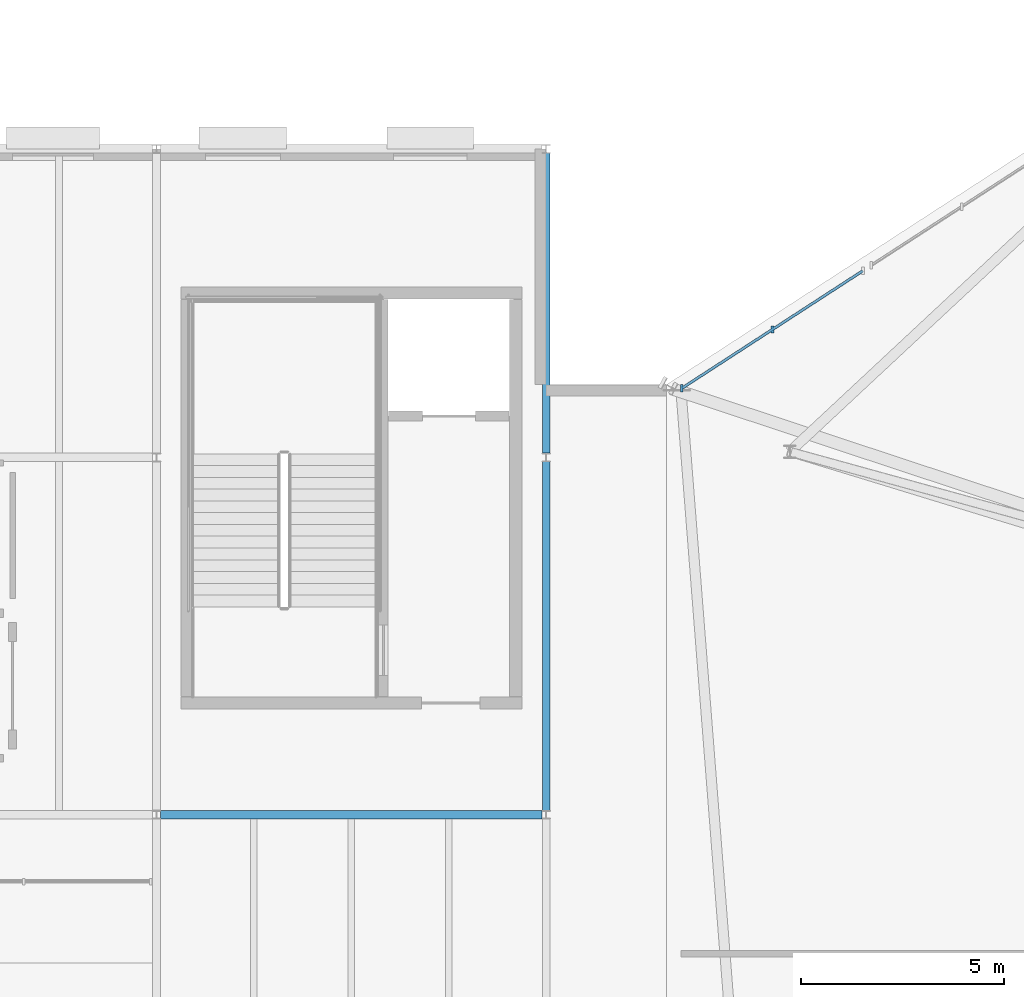
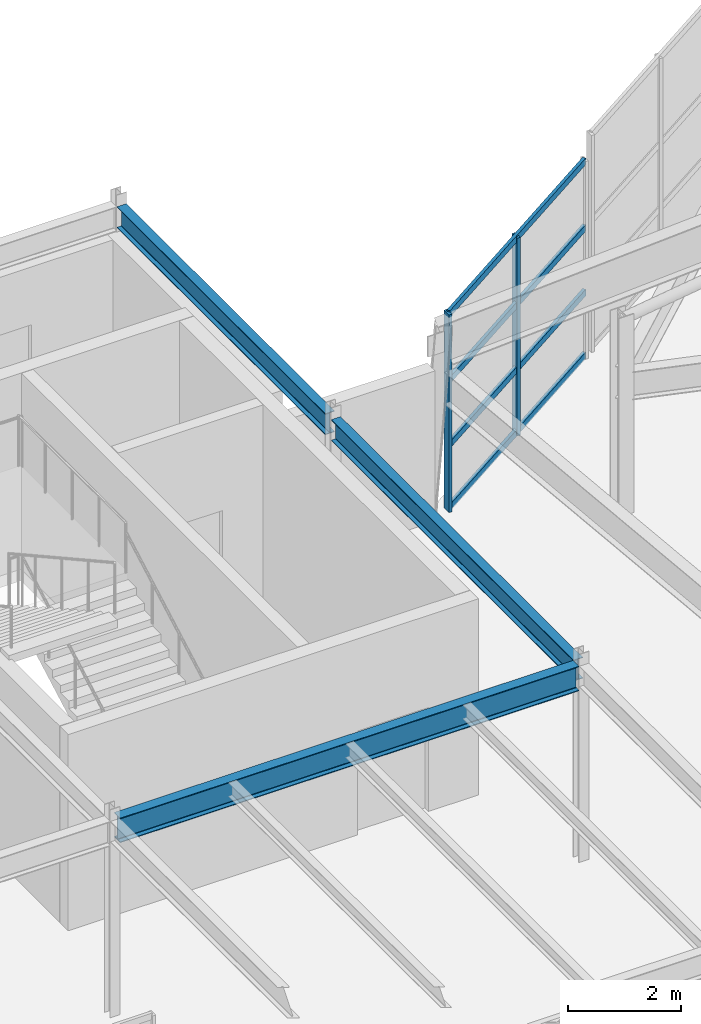
# One storey, part 17 of 50: 6 members, 3 beams, 1 element without a shape of its own.
"""IFC4 building model written with IfcOpenShell, lengths in metres."""

from ifc_helpers import new_model, si_unit, direction, frame, origin, origin_2d, place, context, subcontext, project, spatial, rectangle, i_section, extrude, material, material_profile, profile_set, type_object, element, aggregate, save


model = new_model("IFC4")

# Units and contexts
model_context = context("Model", 3, precision=1e-05, world=origin(), true_north=direction((0.0, 1.0)))
body_context = subcontext(model_context, "Body", "Model", "MODEL_VIEW")
ifc_project = project(units=[si_unit("LENGTHUNIT", "METRE"), si_unit("AREAUNIT", "SQUARE_METRE"), si_unit("VOLUMEUNIT", "CUBIC_METRE"), si_unit("PLANEANGLEUNIT", "RADIAN"), si_unit("MASSUNIT", "GRAM", prefix="KILO")], contexts=[model_context])

# Site, building, storey
site_placement = place(None, origin())
site = spatial("IfcSite", under=ifc_project, at=site_placement, CompositionType="ELEMENT")
building_placement = place(site_placement, origin())
building = spatial("IfcBuilding", under=site, at=building_placement, Name="Sarnbrook Museum", CompositionType="ELEMENT")
storey_placement = place(building_placement, frame((0.0, 0.0, 28.10009765625)))
storey = spatial("IfcBuildingStorey", under=building, at=storey_placement, Name="L05", CompositionType="ELEMENT", Elevation=28.10009765625)

# Beams
ifc_material_1 = material(Name="Structural Steel Grade 300PLUS (AS/NZS 3679.1, fy = 280 MPa for 17 < t <= 40 mm, 300 MPa for t <= 17 mm)", Category="steel")
ifc_material_profile_1 = material_profile(ifc_material_1, i_section(OverallWidth=0.18994140625, OverallDepth=0.45703125, WebThickness=0.009033203125, FlangeThickness=0.014404296875, FilletRadius=0.011474609375, at=origin_2d()), Name="460UB74.6")
ifc_profile_set_1 = profile_set([ifc_material_profile_1], Name="Structural Steel Grade 300PLUS (AS/NZS 3679.1, fy = 280 MPa for 17 < t <= 40 mm, 300 MPa for t <= 17 mm)")
beam_type_1 = type_object("IfcBeamType", Name="BM-UB460", PredefinedType="BEAM", material=ifc_profile_set_1)
beam_1_placement = place(storey_placement, frame((119.199951171875, 92.10498046875, 4.021484375), z_axis=(0.0, 1.0, 0.0), x_axis=(-1.0, 0.0, 0.0)))
element("IfcBeam", 1, at=beam_1_placement, inside=storey, type_object=beam_type_1, Name="Girder 13:L-M L05", PredefinedType="BEAM", context=body_context, shape_type="SweptSolid", body=[
    extrude(i_section(OverallWidth=0.18994140625, OverallDepth=0.45703125, WebThickness=0.009033203125, FlangeThickness=0.014404296875, FilletRadius=0.011474609375, at=origin_2d()), origin(), (0.0, 0.0, 1.0), 8.590087890625),
])
beam_2_placement = place(storey_placement, frame((119.199951171875, 100.905029296875, 4.021484375), z_axis=(0.0, 1.0, 0.0), x_axis=(-1.0, 0.0, 0.0)))
element("IfcBeam", 2, at=beam_2_placement, inside=storey, type_object=beam_type_1, Name="Girder 13:M-N L05", PredefinedType="BEAM", context=body_context, shape_type="SweptSolid", body=[
    extrude(i_section(OverallWidth=0.18994140625, OverallDepth=0.45703125, WebThickness=0.009033203125, FlangeThickness=0.014404296875, FilletRadius=0.011474609375, at=origin_2d()), origin(), (0.0, 0.0, 1.0), 7.389892578125),
])
ifc_material_profile_2 = material_profile(ifc_material_1, i_section(OverallWidth=0.208984375, OverallDepth=0.532958984375, WebThickness=0.01025390625, FlangeThickness=0.015625, FilletRadius=0.013916015625, at=origin_2d()), Name="530UB92.4")
ifc_profile_set_2 = profile_set([ifc_material_profile_2], Name="Structural Steel Grade 300PLUS (AS/NZS 3679.1, fy = 280 MPa for 17 < t <= 40 mm, 300 MPa for t <= 17 mm)")
beam_type_2 = type_object("IfcBeamType", Name="BM-UB530", PredefinedType="BEAM", material=ifc_profile_set_2)
beam_3_placement = place(storey_placement, frame((109.702392578125, 92.0, 3.9833984375), z_axis=(1.0, 0.0, 0.0), x_axis=(0.0, 1.0, 0.0)))
element("IfcBeam", 3, at=beam_3_placement, inside=storey, type_object=beam_type_2, Name="Girder L:12-13 L05", PredefinedType="BEAM", context=body_context, shape_type="SweptSolid", body=[
    extrude(i_section(OverallWidth=0.208984375, OverallDepth=0.532958984375, WebThickness=0.01025390625, FlangeThickness=0.015625, FilletRadius=0.013916015625, at=origin_2d()), origin(), (0.0, 0.0, 1.0), 9.39501953125),
])

# Curtain wall, members
ifc_material_2 = material(Name="Thermally Broken Anodised Aluminium 6063-T6", Category="aluminium")
curtain_wall_type = type_object("IfcCurtainWallType", Name="CurtainWall_CrystalFacet", PredefinedType="NOTDEFINED", material=ifc_material_2)
curtain_wall_placement = place(storey_placement, origin())
curtain_wall = element("IfcCurtainWall", 4, at=curtain_wall_placement, inside=storey, type_object=curtain_wall_type, Name="Crystal Hall Facet Curtain Wall L05-F6.3", PredefinedType="NOTDEFINED")
ifc_material_profile_3 = material_profile(ifc_material_2, rectangle(XDim=0.06494140625, YDim=0.179931640625, at=origin_2d()), Name="ALU MULLION 65x180")
ifc_profile_set_3 = profile_set([ifc_material_profile_3], Name="Thermally Broken Anodised Aluminium 6063-T6")
member_type_1 = type_object("IfcMemberType", Name="CW_Mullion_180x75", PredefinedType="MULLION", material=ifc_profile_set_3)
member_1_placement = place(storey_placement, frame((124.7734375, 103.952392578125, 0.0), z_axis=(0.0, 0.0, 1.0), x_axis=(1.0, 0.0, 0.0)))
member_1 = element("IfcMember", 5, at=member_1_placement, type_object=member_type_1, Name="Crystal Hall Facet Curtain Wall L05-F6.3 Mullion 2", PredefinedType="MULLION", context=body_context, shape_type="SweptSolid", body=[
    extrude(rectangle(XDim=0.06494140625, YDim=0.179931640625, at=origin_2d()), origin(), (0.0, 0.0, 1.0), 4.27978515625),
])
member_2_placement = place(storey_placement, frame((122.5419921875, 102.50439453125, 0.0), z_axis=(0.0, 0.0, 1.0), x_axis=(1.0, 0.0, 0.0)))
member_2 = element("IfcMember", 6, at=member_2_placement, type_object=member_type_1, Name="Crystal Hall Facet Curtain Wall L05-F6.3 Mullion 3", PredefinedType="MULLION", context=body_context, shape_type="SweptSolid", body=[
    extrude(rectangle(XDim=0.06494140625, YDim=0.179931640625, at=origin_2d()), origin(), (0.0, 0.0, 1.0), 4.27978515625),
])
ifc_material_profile_4 = material_profile(ifc_material_2, rectangle(XDim=0.06494140625, YDim=0.139892578125, at=origin_2d()), Name="ALU TRANSOM 65x140")
ifc_profile_set_4 = profile_set([ifc_material_profile_4], Name="Thermally Broken Anodised Aluminium 6063-T6")
member_type_2 = type_object("IfcMemberType", Name="CW_Transom_150x65", PredefinedType="USERDEFINED", material=ifc_profile_set_4)
member_3_placement = place(storey_placement, frame((126.99658203125, 105.394775390625, 0.039794921875), z_axis=(-0.83890216967, -0.544282233518, 0.0), x_axis=(0.544282233518, -0.83890216967, 0.0)))
member_3 = element("IfcMember", 7, at=member_3_placement, type_object=member_type_2, Name="Crystal Hall Facet Curtain Wall L05-F6.3 Transom 1", ObjectType="TRANSOM", PredefinedType="USERDEFINED", context=body_context, shape_type="SweptSolid", body=[
    extrude(rectangle(XDim=0.06494140625, YDim=0.139892578125, at=origin_2d()), origin(), (0.0, 0.0, 1.0), 5.300048828125),
])
member_4_placement = place(storey_placement, frame((126.99658203125, 105.394775390625, 1.39990234375), z_axis=(-0.83890216967, -0.544282233518, 0.0), x_axis=(0.544282233518, -0.83890216967, 0.0)))
member_4 = element("IfcMember", 8, at=member_4_placement, type_object=member_type_2, Name="Crystal Hall Facet Curtain Wall L05-F6.3 Transom 2", ObjectType="TRANSOM", PredefinedType="USERDEFINED", context=body_context, shape_type="SweptSolid", body=[
    extrude(rectangle(XDim=0.06494140625, YDim=0.139892578125, at=origin_2d()), origin(), (0.0, 0.0, 1.0), 5.300048828125),
])
member_5_placement = place(storey_placement, frame((126.99658203125, 105.394775390625, 2.7998046875), z_axis=(-0.83890216967, -0.544282233518, 0.0), x_axis=(0.544282233518, -0.83890216967, 0.0)))
member_5 = element("IfcMember", 9, at=member_5_placement, type_object=member_type_2, Name="Crystal Hall Facet Curtain Wall L05-F6.3 Transom 3", ObjectType="TRANSOM", PredefinedType="USERDEFINED", context=body_context, shape_type="SweptSolid", body=[
    extrude(rectangle(XDim=0.06494140625, YDim=0.139892578125, at=origin_2d()), origin(), (0.0, 0.0, 1.0), 5.300048828125),
])
member_6_placement = place(storey_placement, frame((126.99658203125, 105.394775390625, 4.239990234375), z_axis=(-0.83890216967, -0.544282233518, 0.0), x_axis=(0.544282233518, -0.83890216967, 0.0)))
member_6 = element("IfcMember", 10, at=member_6_placement, type_object=member_type_2, Name="Crystal Hall Facet Curtain Wall L05-F6.3 Transom 4", ObjectType="TRANSOM", PredefinedType="USERDEFINED", context=body_context, shape_type="SweptSolid", body=[
    extrude(rectangle(XDim=0.06494140625, YDim=0.139892578125, at=origin_2d()), origin(), (0.0, 0.0, 1.0), 5.300048828125),
])
aggregate(curtain_wall, [member_1, member_2, member_3, member_4, member_5, member_6])

save(model, "model.ifc")
